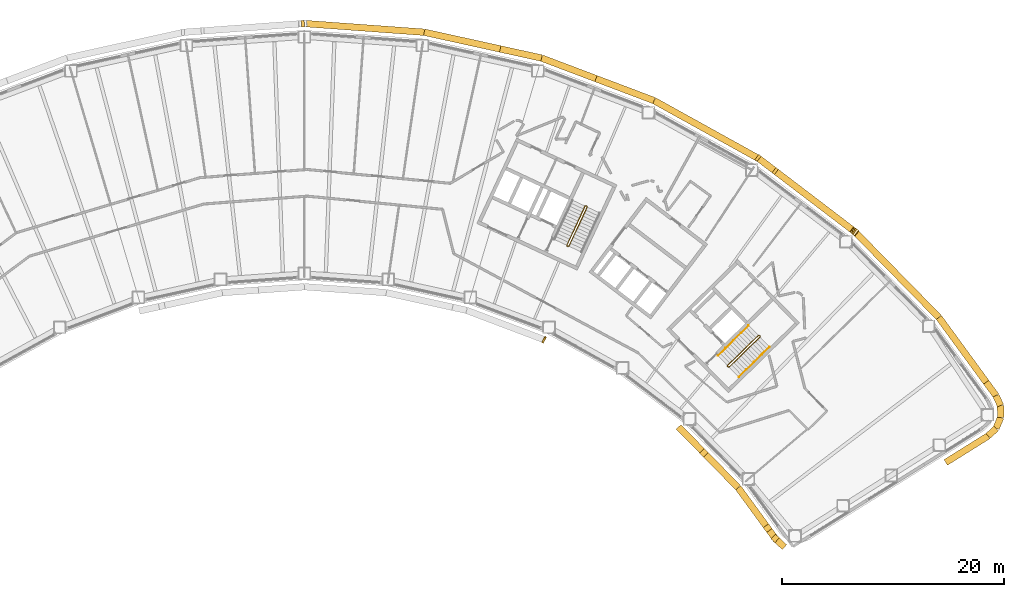
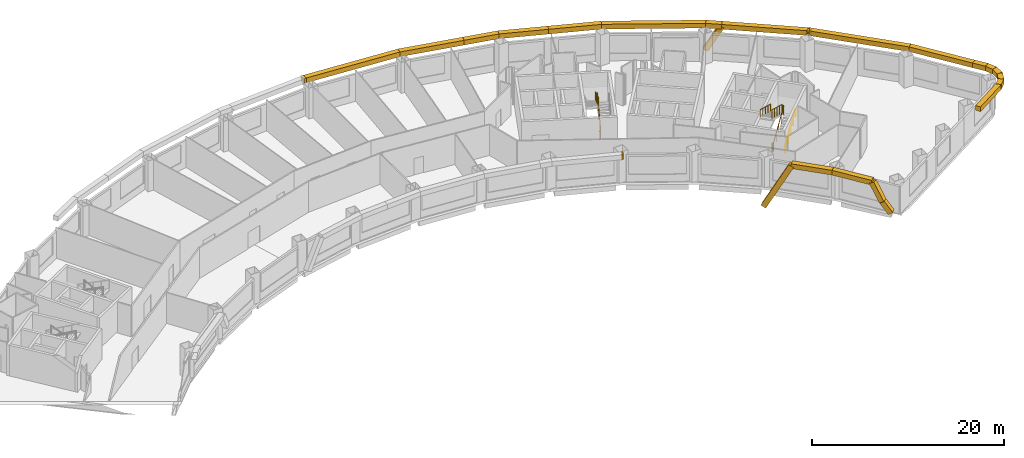
# One storey, part 11 of 11: 27 coverings, 4 railings.
"""IFC4 building model written with IfcOpenShell, lengths in metres."""

from ifc_helpers import new_model, si_unit, direction, frame, origin, origin_2d, place, context, subcontext, project, spatial, rectangle, circle, extrude, material, material_profile, profile_set, type_object, element, save


model = new_model("IFC4")

# Units and contexts
model_context = context("Model", 3, precision=1e-05, world=origin(), true_north=direction((0.0, 1.0)))
body_context = subcontext(model_context, "Body", "Model", "MODEL_VIEW")
ifc_project = project(units=[si_unit("LENGTHUNIT", "METRE"), si_unit("AREAUNIT", "SQUARE_METRE"), si_unit("VOLUMEUNIT", "CUBIC_METRE"), si_unit("PLANEANGLEUNIT", "RADIAN"), si_unit("MASSUNIT", "GRAM", prefix="KILO")], contexts=[model_context])

# Site, building, storey
site_placement = place(None, origin())
site = spatial("IfcSite", under=ifc_project, at=site_placement, CompositionType="ELEMENT")
building_placement = place(site_placement, origin())
building = spatial("IfcBuilding", under=site, at=building_placement, Name="Tuul Gate Civic Tower", CompositionType="ELEMENT")
storey_placement = place(building_placement, frame((0.0, 0.0, 120.300048828125)))
storey = spatial("IfcBuildingStorey", under=building, at=storey_placement, Name="Level 27", CompositionType="ELEMENT", Elevation=120.300048828125)

# Railings
ifc_material_1 = material(Name="Painted steel", Category="steel")
railing_type_1 = type_object("IfcRailingType", Name="Stair guard", PredefinedType="GUARDRAIL", material=ifc_material_1)
railing_1_placement = place(storey_placement, frame((48.10546875, -16.134765625, 0.0)))
element("IfcRailing", 1, at=railing_1_placement, inside=storey, type_object=railing_type_1, Name="Level 27 ST-3 stair guard 1", PredefinedType="GUARDRAIL", context=body_context, shape_type="SweptSolid", body=[
    extrude(circle(Radius=0.02392578125, at=origin_2d()), frame((0.0, 0.0, 1.076171875), z_axis=(-0.698506948293, 0.715603272202, 0.0), x_axis=(-0.715603272202, -0.698506948293, 0.0)), (0.0, 0.0, 1.0), 0.099853515625),
    extrude(circle(Radius=0.02392578125, at=origin_2d()), frame((-0.06982421875, 0.071533203125, 1.076171875), z_axis=(0.645446321009, -0.331687692741, 0.688027849131), x_axis=(0.457068866502, 0.889431307788, 0.0)), (0.0, 0.0, 1.0), 0.2177734375),
    extrude(circle(Radius=0.02392578125, at=origin_2d()), frame((0.07080078125, -0.000732421875, 1.22607421875), z_axis=(0.638731261263, 0.626133563701, 0.447190268558), x_axis=(-0.700029477518, 0.714113947914, 0.0)), (0.0, 0.0, 1.0), 4.3603515625),
    extrude(circle(Radius=0.02392578125, at=origin_2d()), frame((2.85595703125, 2.7294921875, 3.17578125), z_axis=(0.010380063588, 0.999946125689, 0.0), x_axis=(-0.999946125689, 0.010380063588, 0.0)), (0.0, 0.0, 1.0), 0.070556640625),
    extrude(circle(Radius=0.02392578125, at=origin_2d()), frame((2.856689453125, 2.800048828125, 3.17578125), z_axis=(-0.699754442181, 0.714383454909, 0.0), x_axis=(-0.714383454909, -0.699754442181, 0.0)), (0.0, 0.0, 1.0), 0.10009765625),
    extrude(circle(Radius=0.02392578125, at=origin_2d()), frame((2.78662109375, 2.87158203125, 3.17578125), z_axis=(-0.426501027327, 0.004412079593, 0.904476316574), x_axis=(-0.010344274102, -0.999946496565, 0.0)), (0.0, 0.0, 1.0), 0.166015625),
    extrude(circle(Radius=0.02392578125, at=origin_2d()), frame((2.7158203125, 2.872314453125, 3.326171875), z_axis=(-0.638731261263, -0.626133563701, 0.447190268558), x_axis=(0.700029477518, -0.714113947914, 0.0)), (0.0, 0.0, 1.0), 4.3603515625),
    extrude(circle(Radius=0.02099609375, at=origin_2d()), origin(), (0.0, 0.0, 1.0), 1.052001953125),
    extrude(circle(Radius=0.02099609375, at=origin_2d()), frame((-0.06982421875, 0.071533203125, 0.0)), (0.0, 0.0, 1.0), 1.052001953125),
    extrude(circle(Radius=0.02099609375, at=origin_2d()), frame((0.07080078125, -0.000732421875, 0.14990234375)), (0.0, 0.0, 1.0), 1.052001953125),
    extrude(circle(Radius=0.02099609375, at=origin_2d()), frame((0.76708984375, 0.681884765625, 0.637451171875)), (0.0, 0.0, 1.0), 1.052001953125),
    extrude(circle(Radius=0.02099609375, at=origin_2d()), frame((1.46337890625, 1.3642578125, 1.125)), (0.0, 0.0, 1.0), 1.052001953125),
    extrude(circle(Radius=0.02099609375, at=origin_2d()), frame((2.15966796875, 2.046875, 1.6123046875)), (0.0, 0.0, 1.0), 1.052001953125),
    extrude(circle(Radius=0.02099609375, at=origin_2d()), frame((2.85595703125, 2.7294921875, 2.099853515625)), (0.0, 0.0, 1.0), 1.052001953125),
    extrude(circle(Radius=0.02099609375, at=origin_2d()), frame((2.856689453125, 2.800048828125, 2.099853515625)), (0.0, 0.0, 1.0), 1.052001953125),
    extrude(circle(Radius=0.02099609375, at=origin_2d()), frame((2.78662109375, 2.87158203125, 2.099853515625)), (0.0, 0.0, 1.0), 1.052001953125),
    extrude(circle(Radius=0.02099609375, at=origin_2d()), frame((2.7158203125, 2.872314453125, 2.25)), (0.0, 0.0, 1.0), 1.052001953125),
    extrude(circle(Radius=0.02099609375, at=origin_2d()), frame((2.01953125, 2.189697265625, 2.737548828125)), (0.0, 0.0, 1.0), 1.052001953125),
    extrude(circle(Radius=0.02099609375, at=origin_2d()), frame((1.3232421875, 1.50732421875, 3.22509765625)), (0.0, 0.0, 1.0), 1.052001953125),
    extrude(circle(Radius=0.02099609375, at=origin_2d()), frame((0.626953125, 0.82470703125, 3.71240234375)), (0.0, 0.0, 1.0), 1.052001953125),
    extrude(circle(Radius=0.02099609375, at=origin_2d()), frame((-0.0693359375, 0.14208984375, 4.199951171875)), (0.0, 0.0, 1.0), 1.052001953125),
])
railing_2_placement = place(storey_placement, frame((33.645751953125, -5.238525390625, 0.0)))
element("IfcRailing", 2, at=railing_2_placement, inside=storey, type_object=railing_type_1, Name="Level 27 ST-4 stair guard 1", PredefinedType="GUARDRAIL", context=body_context, shape_type="SweptSolid", body=[
    extrude(circle(Radius=0.02392578125, at=origin_2d()), frame((0.0, 0.0, 1.076171875), z_axis=(-0.906307919131, 0.422617978463, 0.0), x_axis=(-0.422617978463, -0.906307919131, 0.0)), (0.0, 0.0, 1.0), 0.099853515625),
    extrude(circle(Radius=0.02392578125, at=origin_2d()), frame((-0.090576171875, 0.042236328125, 1.076171875), z_axis=(0.720735628292, -0.082946246491, 0.688229666829), x_axis=(0.114330889033, 0.993442724979, 0.0)), (0.0, 0.0, 1.0), 0.2177734375),
    extrude(circle(Radius=0.02392578125, at=origin_2d()), frame((0.06640625, 0.024169921875, 1.22607421875), z_axis=(0.377946903738, 0.810654114417, 0.447209173356), x_axis=(-0.906336612539, 0.422556439746, 0.0)), (0.0, 0.0, 1.0), 4.3603515625),
    extrude(circle(Radius=0.02392578125, at=origin_2d()), frame((1.71435546875, 3.558837890625, 3.17578125), z_axis=(-0.342020437038, 0.939692513883, 0.0), x_axis=(-0.939692513883, -0.342020437038, 0.0)), (0.0, 0.0, 1.0), 0.070556640625),
    extrude(circle(Radius=0.02392578125, at=origin_2d()), frame((1.690185546875, 3.625244140625, 3.17578125), z_axis=(-0.906307919131, 0.422617978463, 0.0), x_axis=(-0.422617978463, -0.906307919131, 0.0)), (0.0, 0.0, 1.0), 0.099853515625),
    extrude(circle(Radius=0.02392578125, at=origin_2d()), frame((1.599609375, 3.66748046875, 3.17578125), z_axis=(-0.400168791901, -0.145649670582, 0.904793408159), x_axis=(0.342020437038, -0.939692513883, 0.0)), (0.0, 0.0, 1.0), 0.166015625),
    extrude(circle(Radius=0.02392578125, at=origin_2d()), frame((1.533203125, 3.643310546875, 3.326171875), z_axis=(-0.377946903738, -0.810654114417, 0.447209173356), x_axis=(0.906336612539, -0.422556439746, 0.0)), (0.0, 0.0, 1.0), 4.3603515625),
    extrude(circle(Radius=0.02099609375, at=origin_2d()), origin(), (0.0, 0.0, 1.0), 1.052001953125),
    extrude(circle(Radius=0.02099609375, at=origin_2d()), frame((-0.090576171875, 0.042236328125, 0.0)), (0.0, 0.0, 1.0), 1.052001953125),
    extrude(circle(Radius=0.02099609375, at=origin_2d()), frame((0.06640625, 0.024169921875, 0.14990234375)), (0.0, 0.0, 1.0), 1.052001953125),
    extrude(circle(Radius=0.02099609375, at=origin_2d()), frame((0.478515625, 0.90771484375, 0.637451171875)), (0.0, 0.0, 1.0), 1.052001953125),
    extrude(circle(Radius=0.02099609375, at=origin_2d()), frame((0.890380859375, 1.79150390625, 1.125)), (0.0, 0.0, 1.0), 1.052001953125),
    extrude(circle(Radius=0.02099609375, at=origin_2d()), frame((1.30224609375, 2.67529296875, 1.6123046875)), (0.0, 0.0, 1.0), 1.052001953125),
    extrude(circle(Radius=0.02099609375, at=origin_2d()), frame((1.71435546875, 3.558837890625, 2.099853515625)), (0.0, 0.0, 1.0), 1.052001953125),
    extrude(circle(Radius=0.02099609375, at=origin_2d()), frame((1.690185546875, 3.625244140625, 2.099853515625)), (0.0, 0.0, 1.0), 1.052001953125),
    extrude(circle(Radius=0.02099609375, at=origin_2d()), frame((1.599609375, 3.66748046875, 2.099853515625)), (0.0, 0.0, 1.0), 1.052001953125),
    extrude(circle(Radius=0.02099609375, at=origin_2d()), frame((1.533203125, 3.643310546875, 2.25)), (0.0, 0.0, 1.0), 1.052001953125),
    extrude(circle(Radius=0.02099609375, at=origin_2d()), frame((1.12109375, 2.759765625, 2.737548828125)), (0.0, 0.0, 1.0), 1.052001953125),
    extrude(circle(Radius=0.02099609375, at=origin_2d()), frame((0.709228515625, 1.8759765625, 3.22509765625)), (0.0, 0.0, 1.0), 1.052001953125),
    extrude(circle(Radius=0.02099609375, at=origin_2d()), frame((0.29736328125, 0.9921875, 3.71240234375)), (0.0, 0.0, 1.0), 1.052001953125),
    extrude(circle(Radius=0.02099609375, at=origin_2d()), frame((-0.11474609375, 0.108642578125, 4.199951171875)), (0.0, 0.0, 1.0), 1.052001953125),
])
ifc_material_2 = material(Name="Painted steel", Category="steel")
railing_type_2 = type_object("IfcRailingType", Name="Stair handrail", PredefinedType="HANDRAIL", material=ifc_material_2)
railing_3_placement = place(storey_placement, frame((49.05126953125, -17.028076171875, 0.14990234375)))
element("IfcRailing", 3, at=railing_3_placement, inside=storey, type_object=railing_type_2, Name="Level 27 ST-3 stair handrail 1", PredefinedType="HANDRAIL", context=body_context, shape_type="SweptSolid", body=[
    extrude(circle(Radius=0.02392578125, at=origin_2d()), frame((0.0, 0.0, 0.8759765625), z_axis=(0.638753653487, 0.626099522554, 0.447205945863), x_axis=(-0.699997553204, 0.714145241186, 0.0)), (0.0, 0.0, 1.0), 4.3603515625),
    extrude(circle(Radius=0.02099609375, at=origin_2d()), origin(), (0.0, 0.0, 1.0), 0.851806640625),
    extrude(circle(Radius=0.02099609375, at=origin_2d()), frame((0.6962890625, 0.6826171875, 0.487548828125)), (0.0, 0.0, 1.0), 0.851806640625),
    extrude(circle(Radius=0.02099609375, at=origin_2d()), frame((1.392578125, 1.364990234375, 0.97509765625)), (0.0, 0.0, 1.0), 0.851806640625),
    extrude(circle(Radius=0.02099609375, at=origin_2d()), frame((2.0888671875, 2.04736328125, 1.46240234375)), (0.0, 0.0, 1.0), 0.851806640625),
    extrude(circle(Radius=0.02099609375, at=origin_2d()), frame((2.78515625, 2.72998046875, 1.949951171875)), (0.0, 0.0, 1.0), 0.851806640625),
])
railing_4_placement = place(storey_placement, frame((49.9462890625, -12.369873046875, 2.25)))
element("IfcRailing", 4, at=railing_4_placement, inside=storey, type_object=railing_type_2, Name="Level 27 ST-3 stair handrail 2", PredefinedType="HANDRAIL", context=body_context, shape_type="SweptSolid", body=[
    extrude(circle(Radius=0.02392578125, at=origin_2d()), frame((0.0, 0.0, 0.8759765625), z_axis=(-0.638753653487, -0.626099522554, 0.447205945863), x_axis=(0.699997553204, -0.714145241186, 0.0)), (0.0, 0.0, 1.0), 4.3603515625),
    extrude(circle(Radius=0.02099609375, at=origin_2d()), origin(), (0.0, 0.0, 1.0), 0.851806640625),
    extrude(circle(Radius=0.02099609375, at=origin_2d()), frame((-0.6962890625, -0.6826171875, 0.487548828125)), (0.0, 0.0, 1.0), 0.851806640625),
    extrude(circle(Radius=0.02099609375, at=origin_2d()), frame((-1.392578125, -1.364990234375, 0.97509765625)), (0.0, 0.0, 1.0), 0.851806640625),
    extrude(circle(Radius=0.02099609375, at=origin_2d()), frame((-2.0888671875, -2.04736328125, 1.46240234375)), (0.0, 0.0, 1.0), 0.851806640625),
    extrude(circle(Radius=0.02099609375, at=origin_2d()), frame((-2.78515625, -2.72998046875, 1.949951171875)), (0.0, 0.0, 1.0), 0.851806640625),
])

# Coverings
ifc_material_3 = material(Name="Terracotta baguette", Category="masonry")
ifc_material_profile = material_profile(ifc_material_3, rectangle(XDim=0.60009765625, YDim=0.60009765625, at=origin_2d()), Name="Terracotta baguette screen frame")
ifc_profile_set = profile_set([ifc_material_profile], Name="Terracotta baguette")
covering_type = type_object("IfcCoveringType", Name="Terracotta baguette screen frame", PredefinedType="CLADDING", material=ifc_profile_set)
covering_1_placement = place(storey_placement, frame((67.73046875, -24.738525390625, 3.849853515625), z_axis=(0.848058898511, 0.529901976461, 0.0), x_axis=(-0.529901976461, 0.848058898511, 0.0)))
element("IfcCovering", 5, at=covering_1_placement, inside=storey, type_object=covering_type, Name="Baguette 11", PredefinedType="CLADDING", context=body_context, shape_type="SweptSolid", body=[
    extrude(rectangle(XDim=0.60009765625, YDim=0.60009765625, at=origin_2d()), origin(), (0.0, 0.0, 1.0), 4.526611328125),
])
covering_2_placement = place(storey_placement, frame((71.5693359375, -22.33984375, 3.849853515625), z_axis=(0.721550422979, 0.69236189027, 0.0), x_axis=(-0.69236189027, 0.721550422979, 0.0)))
element("IfcCovering", 6, at=covering_2_placement, inside=storey, type_object=covering_type, Name="Baguette 12", PredefinedType="CLADDING", context=body_context, shape_type="SweptSolid", body=[
    extrude(rectangle(XDim=0.60009765625, YDim=0.60009765625, at=origin_2d()), origin(), (0.0, 0.0, 1.0), 0.987060546875),
])
for number, where, z_axis, x_axis, name in (
    (7, (72.281494140625, -21.656494140625, 3.849853515625), (0.386726676251, 0.922194381829, 0.0), (-0.922194381829, 0.386726676251, 0.0), "Baguette 13"),
    (8, (72.694091796875, -20.672607421875, 3.849853515625), (-0.014414978083, 0.999896098806, 0.0), (-0.999896098806, -0.014414978083, 0.0), "Baguette 14"),
):
    element("IfcCovering", number, at=place(storey_placement, frame(where, z_axis=z_axis, x_axis=x_axis)), inside=storey, type_object=covering_type, Name=name, PredefinedType="CLADDING", context=body_context, shape_type="SweptSolid", body=[
        extrude(rectangle(XDim=0.60009765625, YDim=0.60009765625, at=origin_2d()), origin(), (0.0, 0.0, 1.0), 1.06689453125),
    ])
covering_3_placement = place(storey_placement, frame((72.6787109375, -19.605712890625, 3.849853515625), z_axis=(-0.4130215853, 0.910721236206, 0.0), x_axis=(-0.910721236206, -0.4130215853, 0.0)))
element("IfcCovering", 9, at=covering_3_placement, inside=storey, type_object=covering_type, Name="Baguette 15", PredefinedType="CLADDING", context=body_context, shape_type="SweptSolid", body=[
    extrude(rectangle(XDim=0.60009765625, YDim=0.60009765625, at=origin_2d()), origin(), (0.0, 0.0, 1.0), 0.989013671875),
])
covering_4_placement = place(storey_placement, frame((72.270263671875, -18.705078125, 3.849853515625), z_axis=(-0.589762746012, 0.807576561953, 0.0), x_axis=(-0.807576561953, -0.589762746012, 0.0)))
element("IfcCovering", 10, at=covering_4_placement, inside=storey, type_object=covering_type, Name="Baguette 16", PredefinedType="CLADDING", context=body_context, shape_type="SweptSolid", body=[
    extrude(rectangle(XDim=0.60009765625, YDim=0.60009765625, at=origin_2d()), origin(), (0.0, 0.0, 1.0), 1.4951171875),
])
covering_5_placement = place(storey_placement, frame((59.522705078125, -3.902099609375, 3.934326171875), z_axis=(-0.583587161115, 0.444076425629, -0.679869217999), x_axis=(-0.605558723576, -0.795800623461, 0.0)))
element("IfcCovering", 11, at=covering_5_placement, inside=storey, type_object=covering_type, Name="Baguette 30", PredefinedType="CLADDING", context=body_context, shape_type="SweptSolid", body=[
    extrude(rectangle(XDim=0.60009765625, YDim=0.60009765625, at=origin_2d()), origin(), (0.0, 0.0, 1.0), 0.124267578125),
])
covering_6_placement = place(storey_placement, frame((59.4501953125, -3.846923828125, 3.849853515625), z_axis=(0.378602080571, -0.288094512488, -0.879580591226), x_axis=(0.605558723576, 0.795800623461, 0.0)))
element("IfcCovering", 12, at=covering_6_placement, inside=storey, type_object=covering_type, Name="Baguette 34", PredefinedType="CLADDING", context=body_context, shape_type="SweptSolid", body=[
    extrude(rectangle(XDim=0.60009765625, YDim=0.60009765625, at=origin_2d()), origin(), (0.0, 0.0, 1.0), 0.19140625),
])
covering_7_placement = place(storey_placement, frame((59.4501953125, -3.846923828125, 3.849853515625), z_axis=(-0.795619472346, 0.605796711136, 0.0), x_axis=(-0.605796711136, -0.795619472346, 0.0)))
element("IfcCovering", 13, at=covering_7_placement, inside=storey, type_object=covering_type, Name="Baguette 36", PredefinedType="CLADDING", context=body_context, shape_type="SweptSolid", body=[
    extrude(rectangle(XDim=0.60009765625, YDim=0.60009765625, at=origin_2d()), origin(), (0.0, 0.0, 1.0), 9.072509765625),
])
covering_8_placement = place(storey_placement, frame((52.23193359375, 1.649169921875, 3.849853515625), z_axis=(-0.37802647265, 0.287849975901, -0.879908164157), x_axis=(-0.605816557049, -0.795604360977, 0.0)))
element("IfcCovering", 14, at=covering_8_placement, inside=storey, type_object=covering_type, Name="Baguette 41", PredefinedType="CLADDING", context=body_context, shape_type="SweptSolid", body=[
    extrude(rectangle(XDim=0.60009765625, YDim=0.60009765625, at=origin_2d()), origin(), (0.0, 0.0, 1.0), 3.552001953125),
])
covering_9_placement = place(storey_placement, frame((36.15478515625, 9.914794921875, 3.849853515625), z_axis=(-0.935382818769, 0.353636794398, 0.0), x_axis=(-0.353636794398, -0.935382818769, 0.0)))
element("IfcCovering", 15, at=covering_9_placement, inside=storey, type_object=covering_type, Name="Baguette 57", PredefinedType="CLADDING", context=body_context, shape_type="SweptSolid", body=[
    extrude(rectangle(XDim=0.60009765625, YDim=0.60009765625, at=origin_2d()), origin(), (0.0, 0.0, 1.0), 5.245361328125),
])
covering_10_placement = place(storey_placement, frame((31.248291015625, 11.769775390625, 3.849853515625), z_axis=(-0.976560859311, 0.215241464549, 0.0), x_axis=(-0.215241464549, -0.976560859311, 0.0)))
element("IfcCovering", 16, at=covering_10_placement, inside=storey, type_object=covering_type, Name="Baguette 58", PredefinedType="CLADDING", context=body_context, shape_type="SweptSolid", body=[
    extrude(rectangle(XDim=0.60009765625, YDim=0.60009765625, at=origin_2d()), origin(), (0.0, 0.0, 1.0), 3.826904296875),
])
covering_11_placement = place(storey_placement, frame((31.409912109375, -13.62841796875, 3.849853515625), z_axis=(0.875065648596, -0.484004246518, 0.0), x_axis=(0.484004246518, 0.875065648596, 0.0)))
element("IfcCovering", 17, at=covering_11_placement, inside=storey, type_object=covering_type, Name="Baguette 235", PredefinedType="CLADDING", context=body_context, shape_type="SweptSolid", body=[
    extrude(rectangle(XDim=0.60009765625, YDim=0.60009765625, at=origin_2d()), origin(), (0.0, 0.0, 1.0), 0.13916015625),
])
covering_12_placement = place(storey_placement, frame((45.904541015625, -23.8662109375, 3.849853515625), z_axis=(-0.32633630584, 0.332883468186, -0.884699503842), x_axis=(-0.714094324474, -0.700049495218, 0.0)))
element("IfcCovering", 18, at=covering_12_placement, inside=storey, type_object=covering_type, Name="Baguette 254", PredefinedType="CLADDING", context=body_context, shape_type="SweptSolid", body=[
    extrude(rectangle(XDim=0.60009765625, YDim=0.60009765625, at=origin_2d()), origin(), (0.0, 0.0, 1.0), 6.451171875),
])
covering_13_placement = place(storey_placement, frame((45.904541015625, -23.8662109375, 3.849853515625), z_axis=(0.700042634993, -0.714101049706, 0.0), x_axis=(0.714101049706, 0.700042634993, 0.0)))
element("IfcCovering", 19, at=covering_13_placement, inside=storey, type_object=covering_type, Name="Baguette 256", PredefinedType="CLADDING", context=body_context, shape_type="SweptSolid", body=[
    extrude(rectangle(XDim=0.60009765625, YDim=0.60009765625, at=origin_2d()), origin(), (0.0, 0.0, 1.0), 4.410888671875),
])
covering_14_placement = place(storey_placement, frame((48.992431640625, -27.01611328125, 3.849853515625), z_axis=(0.589715825442, -0.807610825351, 0.0), x_axis=(0.807610825351, 0.589715825442, 0.0)))
element("IfcCovering", 20, at=covering_14_placement, inside=storey, type_object=covering_type, Name="Baguette 257", PredefinedType="CLADDING", context=body_context, shape_type="SweptSolid", body=[
    extrude(rectangle(XDim=0.60009765625, YDim=0.60009765625, at=origin_2d()), origin(), (0.0, 0.0, 1.0), 4.518798828125),
])
covering_15_placement = place(storey_placement, frame((51.6572265625, -30.66552734375, 3.849853515625), z_axis=(0.27871399629, -0.381629940323, -0.881292855367), x_axis=(0.807561873714, 0.589782858452, 0.0)))
element("IfcCovering", 21, at=covering_15_placement, inside=storey, type_object=covering_type, Name="Baguette 270", PredefinedType="CLADDING", context=body_context, shape_type="SweptSolid", body=[
    extrude(rectangle(XDim=0.60009765625, YDim=0.60009765625, at=origin_2d()), origin(), (0.0, 0.0, 1.0), 2.438720703125),
])
covering_16_placement = place(storey_placement, frame((52.3369140625, -31.59619140625, 1.70068359375), z_axis=(0.418440465223, -0.391899916427, -0.819342439136), x_axis=(0.683580829185, 0.729874818013, 0.0)))
element("IfcCovering", 22, at=covering_16_placement, inside=storey, type_object=covering_type, Name="Baguette 271", PredefinedType="CLADDING", context=body_context, shape_type="SweptSolid", body=[
    extrude(rectangle(XDim=0.60009765625, YDim=0.60009765625, at=origin_2d()), origin(), (0.0, 0.0, 1.0), 1.572998046875),
])
covering_17_placement = place(storey_placement, frame((71.388427734375, -17.49755859375, 3.849853515625), z_axis=(-0.589828854235, 0.807528279822, 0.0), x_axis=(-0.807528279822, -0.589828854235, 0.0)))
element("IfcCovering", 23, at=covering_17_placement, inside=storey, type_object=covering_type, Name="Baguette 294", PredefinedType="CLADDING", context=body_context, shape_type="SweptSolid", body=[
    extrude(rectangle(XDim=0.60009765625, YDim=0.60009765625, at=origin_2d()), origin(), (0.0, 0.0, 1.0), 7.239013671875),
])
covering_18_placement = place(storey_placement, frame((67.11865234375, -11.65185546875, 3.849853515625), z_axis=(-0.699984355025, 0.714158177661, 0.0), x_axis=(-0.714158177661, -0.699984355025, 0.0)))
element("IfcCovering", 24, at=covering_18_placement, inside=storey, type_object=covering_type, Name="Baguette 295", PredefinedType="CLADDING", context=body_context, shape_type="SweptSolid", body=[
    extrude(rectangle(XDim=0.60009765625, YDim=0.60009765625, at=origin_2d()), origin(), (0.0, 0.0, 1.0), 10.8515625),
])
covering_19_placement = place(storey_placement, frame((59.522705078125, -3.902099609375, 3.849853515625), z_axis=(-0.795800623461, 0.605558723576, 0.0), x_axis=(-0.605558723576, -0.795800623461, 0.0)))
element("IfcCovering", 25, at=covering_19_placement, inside=storey, type_object=covering_type, Name="Baguette 296", PredefinedType="CLADDING", context=body_context, shape_type="SweptSolid", body=[
    extrude(rectangle(XDim=0.60009765625, YDim=0.60009765625, at=origin_2d()), origin(), (0.0, 0.0, 1.0), 0.091064453125),
])
covering_20_placement = place(storey_placement, frame((52.23193359375, 1.649169921875, 3.849853515625), z_axis=(-0.795604360977, 0.605816557049, 0.0), x_axis=(-0.605816557049, -0.795604360977, 0.0)))
element("IfcCovering", 26, at=covering_20_placement, inside=storey, type_object=covering_type, Name="Baguette 303", PredefinedType="CLADDING", context=body_context, shape_type="SweptSolid", body=[
    extrude(rectangle(XDim=0.60009765625, YDim=0.60009765625, at=origin_2d()), origin(), (0.0, 0.0, 1.0), 1.687744140625),
])
covering_21_placement = place(storey_placement, frame((50.88916015625, 2.671630859375, 3.849853515625), z_axis=(-0.874626999089, 0.484796464987, 0.0), x_axis=(-0.484796464987, -0.874626999089, 0.0)))
element("IfcCovering", 27, at=covering_21_placement, inside=storey, type_object=covering_type, Name="Baguette 304", PredefinedType="CLADDING", context=body_context, shape_type="SweptSolid", body=[
    extrude(rectangle(XDim=0.60009765625, YDim=0.60009765625, at=origin_2d()), origin(), (0.0, 0.0, 1.0), 10.8515625),
])
covering_22_placement = place(storey_placement, frame((41.398193359375, 7.932373046875, 3.849853515625), z_axis=(-0.935378952013, 0.353647021946, 0.0), x_axis=(-0.353647021946, -0.935378952013, 0.0)))
element("IfcCovering", 28, at=covering_22_placement, inside=storey, type_object=covering_type, Name="Baguette 305", PredefinedType="CLADDING", context=body_context, shape_type="SweptSolid", body=[
    extrude(rectangle(XDim=0.60009765625, YDim=0.60009765625, at=origin_2d()), origin(), (0.0, 0.0, 1.0), 5.605712890625),
])
covering_23_placement = place(storey_placement, frame((27.510986328125, 12.593505859375, 3.849853515625), z_axis=(-0.976573958197, 0.215182025668, 0.0), x_axis=(-0.215182025668, -0.976573958197, 0.0)))
element("IfcCovering", 29, at=covering_23_placement, inside=storey, type_object=covering_type, Name="Baguette 309", PredefinedType="CLADDING", context=body_context, shape_type="SweptSolid", body=[
    extrude(rectangle(XDim=0.60009765625, YDim=0.60009765625, at=origin_2d()), origin(), (0.0, 0.0, 1.0), 7.024169921875),
])
covering_24_placement = place(storey_placement, frame((20.6513671875, 14.10498046875, 3.849853515625), z_axis=(-0.997380210295, 0.072337515252, 0.0), x_axis=(-0.072337515252, -0.997380210295, 0.0)))
element("IfcCovering", 30, at=covering_24_placement, inside=storey, type_object=covering_type, Name="Baguette 310", PredefinedType="CLADDING", context=body_context, shape_type="SweptSolid", body=[
    extrude(rectangle(XDim=0.60009765625, YDim=0.60009765625, at=origin_2d()), origin(), (0.0, 0.0, 1.0), 10.8505859375),
])
covering_25_placement = place(storey_placement, frame((9.8291015625, 14.889892578125, 3.849853515625), z_axis=(-0.997444910105, -0.071439843969, 0.0), x_axis=(0.071439843969, -0.997444910105, 0.0)))
element("IfcCovering", 31, at=covering_25_placement, inside=storey, type_object=covering_type, Name="Baguette 311", PredefinedType="CLADDING", context=body_context, shape_type="SweptSolid", body=[
    extrude(rectangle(XDim=0.60009765625, YDim=0.60009765625, at=origin_2d()), origin(), (0.0, 0.0, 1.0), 0.27001953125),
])

save(model, "model.ifc")
